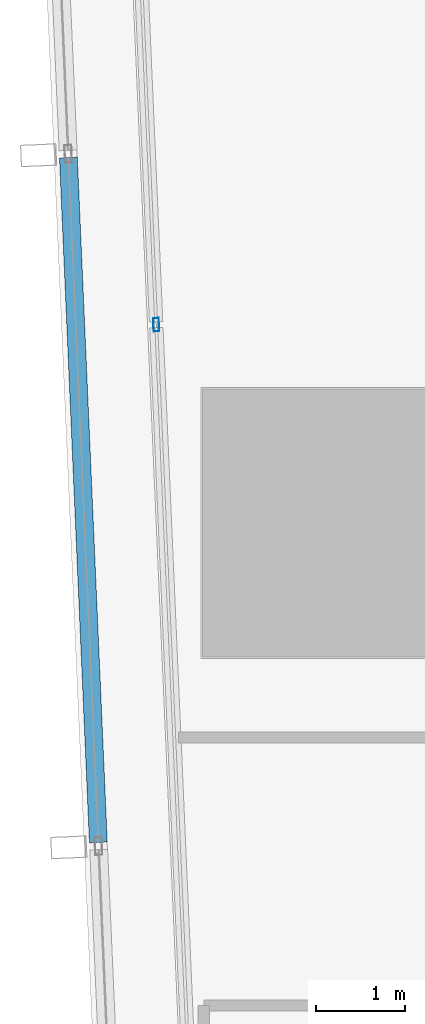
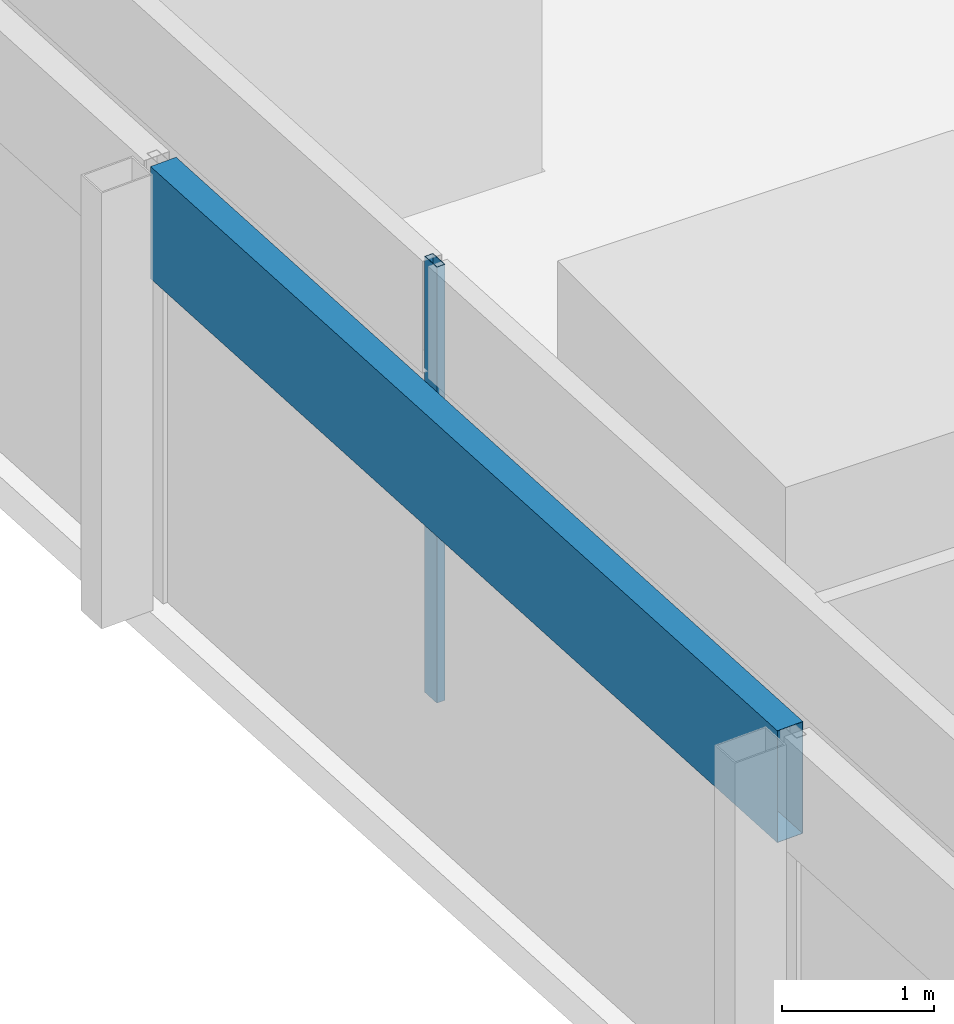
# One storey, part 8 of 45: 2 members, 2 elements without a shape of their own.
"""IFC4 building model written with IfcOpenShell, lengths in metres."""

from ifc_helpers import new_model, si_unit, direction, frame, origin, origin_2d, place, context, subcontext, project, spatial, hollow_rectangle, extrude, material, material_profile, profile_set, type_object, element, aggregate, save


model = new_model("IFC4")

# Units and contexts
model_context = context("Model", 3, precision=1e-05, world=origin(), true_north=direction((0.0, 1.0)))
body_context = subcontext(model_context, "Body", "Model", "MODEL_VIEW")
ifc_project = project(units=[si_unit("LENGTHUNIT", "METRE"), si_unit("AREAUNIT", "SQUARE_METRE"), si_unit("VOLUMEUNIT", "CUBIC_METRE"), si_unit("PLANEANGLEUNIT", "RADIAN"), si_unit("MASSUNIT", "GRAM", prefix="KILO")], contexts=[model_context])

# Site, building, storey
site_placement = place(None, origin())
site = spatial("IfcSite", under=ifc_project, at=site_placement, CompositionType="ELEMENT")
building_placement = place(site_placement, origin())
building = spatial("IfcBuilding", under=site, at=building_placement, Name="Rekha Terrace Tower", CompositionType="ELEMENT")
storey_placement = place(building_placement, frame((0.0, 0.0, 77.89990234375)))
storey = spatial("IfcBuildingStorey", under=building, at=storey_placement, Name="L19", CompositionType="ELEMENT", Elevation=77.89990234375)

# Curtain wall, member
ifc_material_1 = material(Name="Aluminium framing", Category="aluminium")
curtain_wall_type_1 = type_object("IfcCurtainWallType", Name="CW1 double skin inner glazing", PredefinedType="USERDEFINED", material=ifc_material_1)
curtain_wall_1_placement = place(storey_placement, origin())
curtain_wall_1 = element("IfcCurtainWall", 1, at=curtain_wall_1_placement, inside=storey, type_object=curtain_wall_type_1, Name="CW1 double skin inner glazing", ObjectType="DOUBLE SKIN INNER GLAZING", PredefinedType="USERDEFINED")
ifc_material_2 = material(Name="Aluminium mullion section", Category="aluminium")
ifc_material_profile_1 = material_profile(ifc_material_2, hollow_rectangle(XDim=0.06494140625, YDim=0.14990234375, WallThickness=0.00390625, at=origin_2d()), Name="AL RHS 65x150")
ifc_profile_set_1 = profile_set([ifc_material_profile_1], Name="Aluminium mullion section")
member_type_1 = type_object("IfcMemberType", Name="CW1 mullion RHS 65 x 150", PredefinedType="MULLION", material=ifc_profile_set_1)
member_1_placement = place(storey_placement, frame((6.38330078125, 35.819580078125, 0.0), z_axis=(0.0, 0.0, 1.0), x_axis=(0.999045462133, 0.04368254332, 0.0)))
member_1 = element("IfcMember", 2, at=member_1_placement, type_object=member_type_1, Name="CW1 mullion 2", PredefinedType="MULLION", context=body_context, shape_type="SweptSolid", body=[
    extrude(hollow_rectangle(XDim=0.06494140625, YDim=0.14990234375, WallThickness=0.00390625, at=origin_2d()), origin(), (0.0, 0.0, 1.0), 3.5),
])
aggregate(curtain_wall_1, [member_1])

curtain_wall_type_2 = type_object("IfcCurtainWallType", Name="CW2 double skin outer glazing", PredefinedType="USERDEFINED", material=ifc_material_1)
curtain_wall_2_placement = place(storey_placement, origin())
curtain_wall_2 = element("IfcCurtainWall", 3, at=curtain_wall_2_placement, inside=storey, type_object=curtain_wall_type_2, Name="CW2 double skin outer glazing", ObjectType="DOUBLE SKIN OUTER GLAZING", PredefinedType="USERDEFINED")
ifc_material_3 = material(Name="Insulated aluminium spandrel box", Category="aluminium")
ifc_material_profile_2 = material_profile(ifc_material_3, hollow_rectangle(XDim=0.199951171875, YDim=0.89990234375, WallThickness=0.0029296875, at=origin_2d()), Name="AL SPANDREL BOX 200x900")
ifc_profile_set_2 = profile_set([ifc_material_profile_2], Name="Insulated aluminium spandrel box")
member_type_2 = type_object("IfcMemberType", Name="CW2 spandrel transom 200 x 900", PredefinedType="USERDEFINED", material=ifc_profile_set_2)
member_2_placement = place(storey_placement, frame((5.400634765625, 37.690185546875, 3.050048828125), z_axis=(0.04369270591, -0.99904501773, 0.0), x_axis=(0.99904501773, 0.04369270591, 0.0)))
member_2 = element("IfcMember", 4, at=member_2_placement, type_object=member_type_2, Name="CW2 spandrel transom 2", ObjectType="TRANSOM", PredefinedType="USERDEFINED", context=body_context, shape_type="SweptSolid", body=[
    extrude(hollow_rectangle(XDim=0.199951171875, YDim=0.89990234375, WallThickness=0.0029296875, at=origin_2d()), origin(), (0.0, 0.0, 1.0), 7.671875),
])
aggregate(curtain_wall_2, [member_2])

save(model, "model.ifc")
